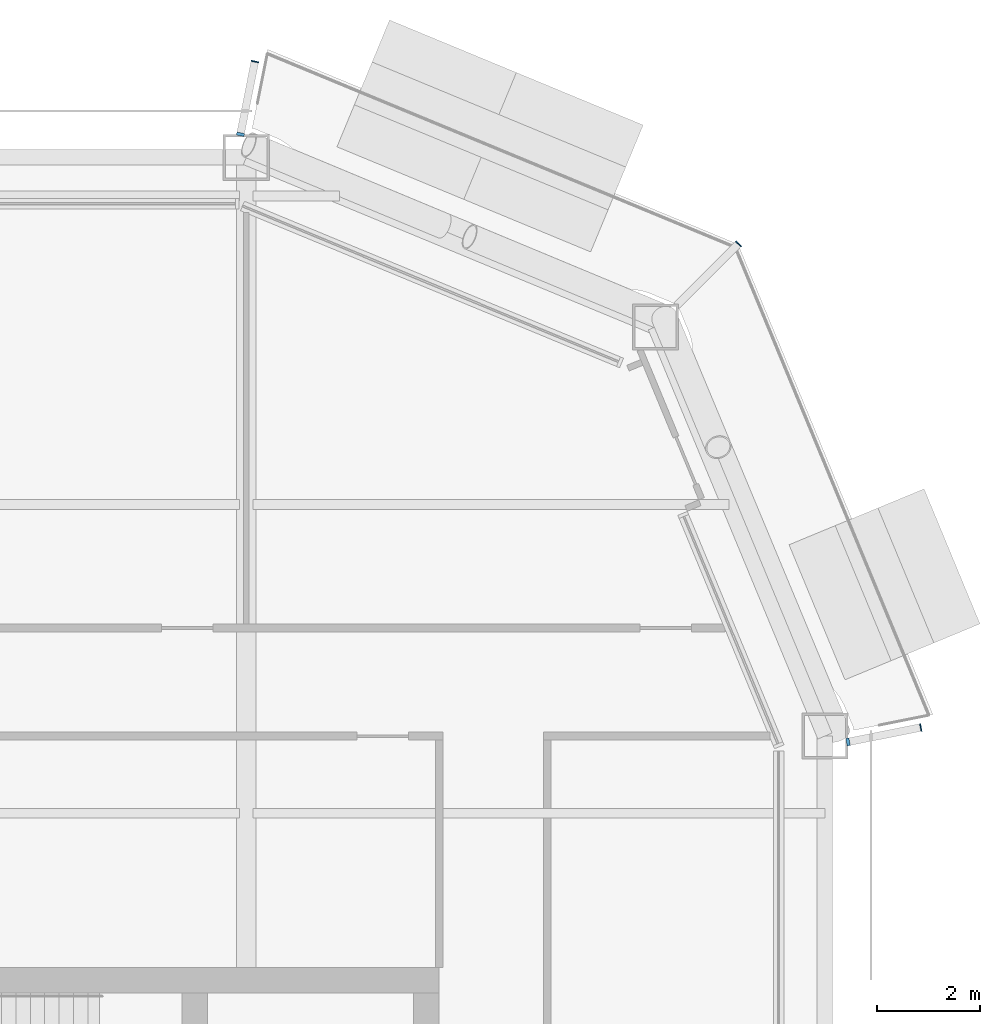
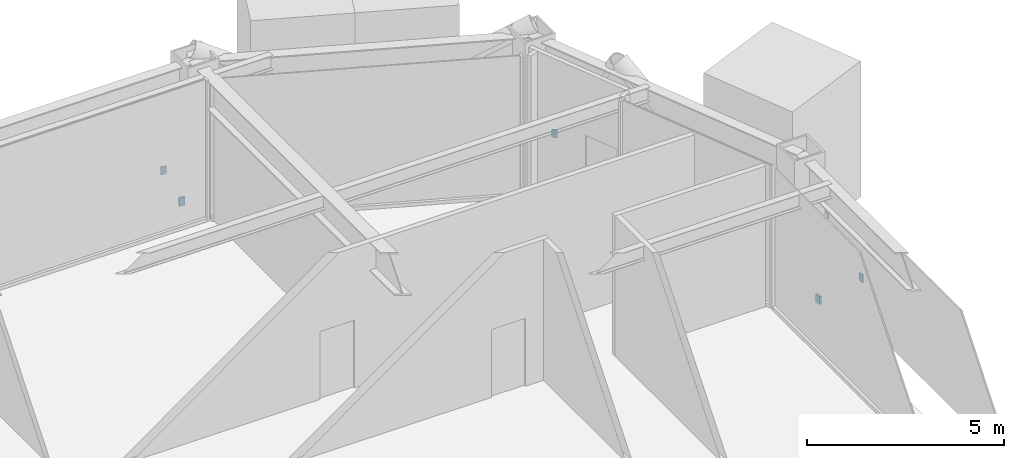
# One storey, part 17 of 23: 5 discrete accessories.
"""IFC4 building model written with IfcOpenShell, lengths in metres."""

from ifc_helpers import new_model, si_unit, direction, frame, origin, origin_2d, place, context, subcontext, project, spatial, rectangle, extrude, material, layer, layer_set, type_object, element, save


model = new_model("IFC4")

# Units and contexts
model_context = context("Model", 3, precision=1e-05, world=origin(), true_north=direction((0.0, 1.0)))
body_context = subcontext(model_context, "Body", "Model", "MODEL_VIEW")
ifc_project = project(units=[si_unit("LENGTHUNIT", "METRE"), si_unit("AREAUNIT", "SQUARE_METRE"), si_unit("VOLUMEUNIT", "CUBIC_METRE"), si_unit("PLANEANGLEUNIT", "RADIAN"), si_unit("MASSUNIT", "GRAM", prefix="KILO")], contexts=[model_context])

# Site, building, storey
site_placement = place(None, origin())
site = spatial("IfcSite", under=ifc_project, at=site_placement, CompositionType="ELEMENT")
building_placement = place(site_placement, origin())
building = spatial("IfcBuilding", under=site, at=building_placement, Name="Siwar Civic Tower", CompositionType="ELEMENT")
storey_placement = place(building_placement, frame((0.0, 0.0, 167.699951171875)))
storey = spatial("IfcBuildingStorey", under=building, at=storey_placement, Name="L36", CompositionType="ELEMENT", Elevation=167.699951171875)

# Discrete accessories
ifc_material_1 = material(Name="Stainless steel 316", Category="steel")
discrete_accessory_type_1 = type_object("IfcDiscreteAccessoryType", Name="ENV-BRACKET", PredefinedType="BRACKET", material=ifc_material_1)
for number, where, z_axis, x_axis, name in (
    (1, (29.699951171875, 17.885498046875, -0.39990234375), (0.0, 0.0, 1.0), (0.980785280403, 0.195090322016, 0.0), "Bracket balcony cantilever beam NE 1"),
    (2, (17.885498046875, 29.699951171875, -0.39990234375), (0.0, 0.0, 1.0), (0.195090322016, 0.980785280403, 0.0), "Bracket balcony cantilever beam NE 3"),
):
    element("IfcDiscreteAccessory", number, at=place(storey_placement, frame(where, z_axis=z_axis, x_axis=x_axis)), inside=storey, type_object=discrete_accessory_type_1, Name=name, PredefinedType="BRACKET", context=body_context, shape_type="SweptSolid", body=[
        extrude(rectangle(XDim=0.06005859375, YDim=0.14990234375, at=origin_2d()), origin(), (0.0, 0.0, 1.0), 0.25),
    ])
ifc_material_2 = material(Name="Steel S355", Category="steel")
ifc_layer = layer(ifc_material_2, 0.02001953125)
ifc_layer_set = layer_set([ifc_layer], Name="Steel S355")
discrete_accessory_type_2 = type_object("IfcDiscreteAccessoryType", Name="STR-END-CAP", PredefinedType="USERDEFINED", material=ifc_layer_set)
for number, where, z_axis, x_axis, name in (
    (3, (31.114501953125, 18.1669921875, -0.39990234375), (0.0, 0.0, 1.0), (0.980785280413, 0.195090321965, 0.0), "End cap plate Balcony cantilever beam NE 1"),
    (4, (27.5693359375, 27.5693359375, -0.39990234375), (0.0, 0.0, 1.0), (0.707106781187, 0.707106781187, 0.0), "End cap plate Balcony cantilever beam NE 2"),
    (5, (18.1669921875, 31.114501953125, -0.39990234375), (0.0, 0.0, 1.0), (0.195090321965, 0.980785280413, 0.0), "End cap plate Balcony cantilever beam NE 3"),
):
    element("IfcDiscreteAccessory", number, at=place(storey_placement, frame(where, z_axis=z_axis, x_axis=x_axis)), inside=storey, type_object=discrete_accessory_type_2, Name=name, ObjectType="END CAP PLATE", PredefinedType="USERDEFINED", context=body_context, shape_type="SweptSolid", body=[
        extrude(rectangle(XDim=0.02001953125, YDim=0.14990234375, at=origin_2d()), origin(), (0.0, 0.0, 1.0), 0.25),
    ])

save(model, "model.ifc")
